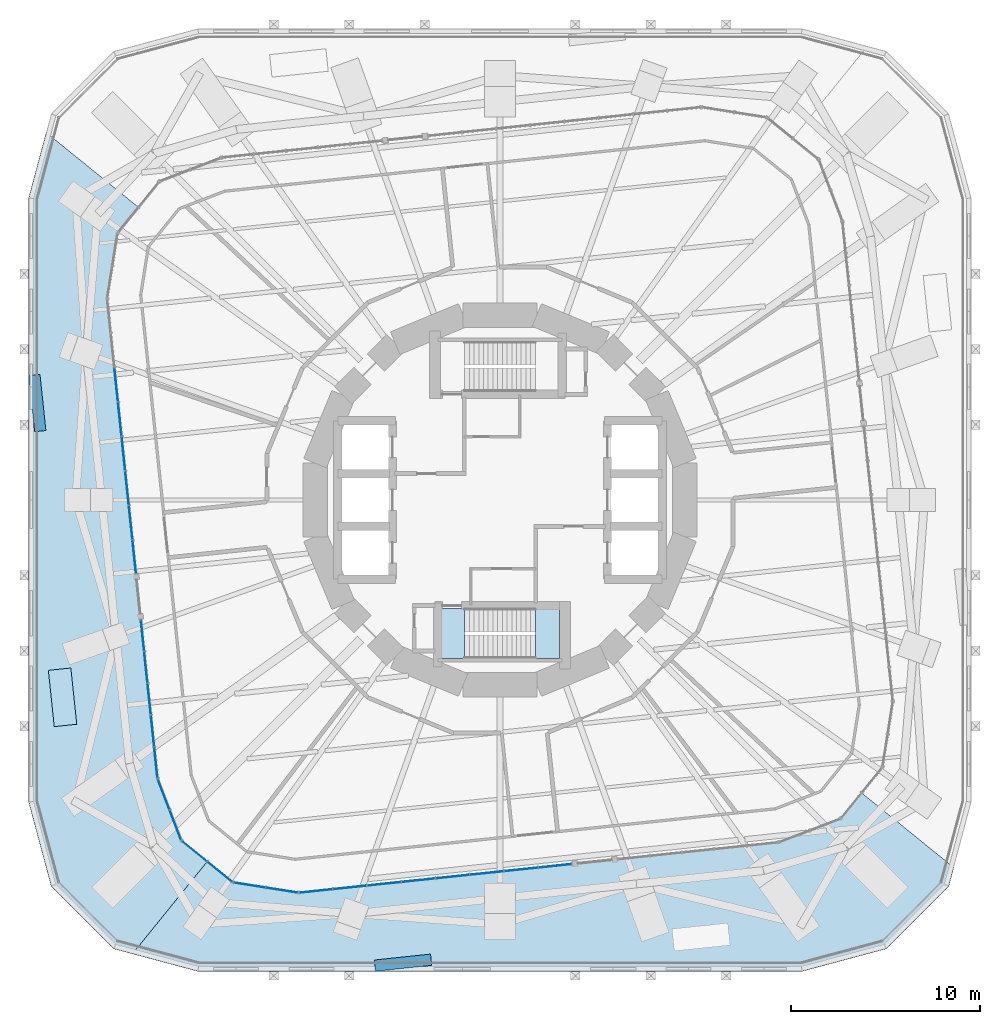
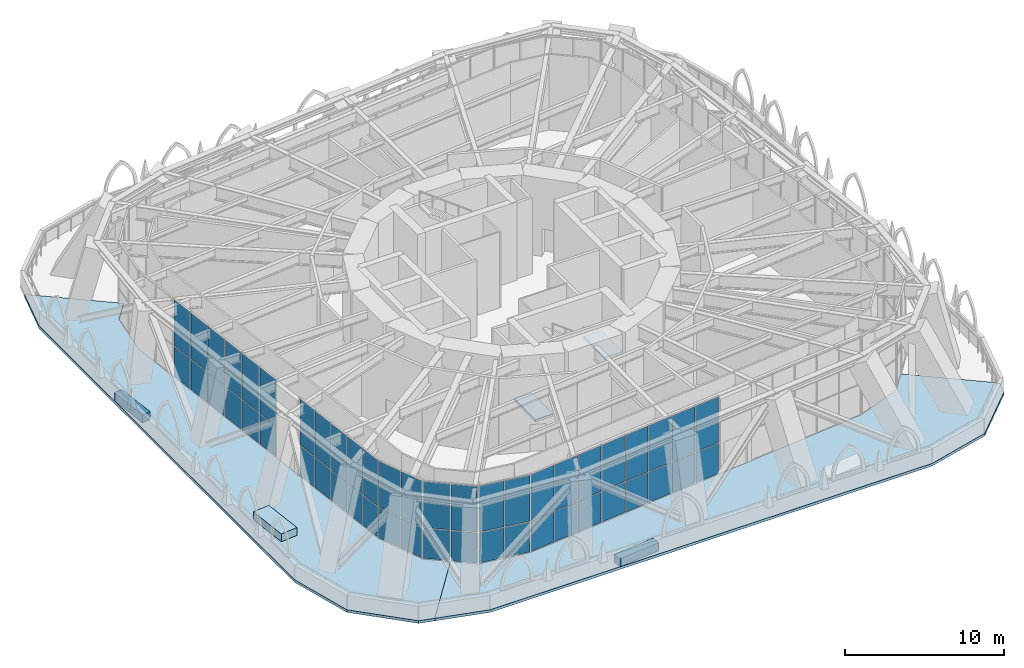
# One storey, part 12 of 20: 53 plates, 4 slabs, 7 elements without a shape of their own.
"""IFC4 building model written with IfcOpenShell, lengths in metres."""

import ifcopenshell
import ifcopenshell.guid

model = None  # the IFC model being written
_history = None  # IfcOwnerHistory: only IFC2X3 demands one
_inside = {}  # id of a spatial element -> (the spatial element, [elements in it])
_under = {}  # id of a project, library or spatial element -> (it, [spatial elements below it])
_declared = {}  # id of a project -> (the project, [libraries it declares])
_typed = {}  # id of a type object -> (the type object, [elements of that type])
_made_of = {}  # id of a material, layer set ... -> (it, [elements and type objects made of it])


def new_model(schema):
    """Start an empty IFC model of exactly this schema.

    Asked for "IFC4X3", IfcOpenShell would pick the latest addendum, in which some entities
    have other attributes; the version numbers below select the first issue.
    IFC2X3 requires an IfcOwnerHistory on every rooted entity: one is made here for all.
    """
    global model, _history
    if schema == "IFC4X3":
        model = ifcopenshell.file(schema_version=(4, 3, 0, 0))
    else:
        model = ifcopenshell.file(schema=schema)
    _inside.clear()
    _under.clear()
    _declared.clear()
    _typed.clear()
    _made_of.clear()
    _history = None
    if model.schema == "IFC2X3":
        org = make("IfcOrganization", Name="unknown")
        user = make(
            "IfcPersonAndOrganization",
            ThePerson=make("IfcPerson", FamilyName="unknown"),
            TheOrganization=org,
        )
        app = make(
            "IfcApplication",
            ApplicationDeveloper=org,
            Version="unknown",
            ApplicationFullName="unknown",
            ApplicationIdentifier="unknown",
        )
        _history = make(
            "IfcOwnerHistory",
            OwningUser=user,
            OwningApplication=app,
            ChangeAction="ADDED",
            CreationDate=0,
        )
    return model


def make(cls, **values):
    """One entity of the class cls with the attributes given. An attribute that is None is left unset."""
    return model.create_entity(
        cls, **{name: value for name, value in values.items() if value is not None}
    )


def rooted(cls, **values):
    """An entity with a GlobalId (a new one), such as an element, a storey or a relation."""
    return make(cls, GlobalId=ifcopenshell.guid.new(), OwnerHistory=_history, **values)


def si_unit(unit_type, name, prefix=None):
    """IfcSIUnit, for example si_unit("LENGTHUNIT", "METRE", prefix="MILLI")."""
    return make("IfcSIUnit", UnitType=unit_type, Prefix=prefix, Name=name)


def assignment(units):
    """IfcUnitAssignment: the units of a project."""
    return None if units is None else make("IfcUnitAssignment", Units=units)


def point(xyz):
    """IfcCartesianPoint."""
    return None if xyz is None else make("IfcCartesianPoint", Coordinates=xyz)


def direction(xyz):
    """IfcDirection."""
    return None if xyz is None else make("IfcDirection", DirectionRatios=xyz)


def frame(location, z_axis=None, x_axis=None):
    """IfcAxis2Placement3D, a coordinate frame: its origin and axes. An axis left out is left unset."""
    return make(
        "IfcAxis2Placement3D",
        Location=point(location),
        Axis=direction(z_axis),
        RefDirection=direction(x_axis),
    )


def frame_2d(location, x_axis=None):
    """IfcAxis2Placement2D, a coordinate frame in the plane: its origin and x axis."""
    return make(
        "IfcAxis2Placement2D", Location=point(location), RefDirection=direction(x_axis)
    )


def origin():
    """The frame at (0, 0, 0) with its axes left unset."""
    return frame((0.0, 0.0, 0.0))


def origin_2d():
    """The frame at (0, 0) in the plane with its x axis left unset."""
    return frame_2d((0.0, 0.0))


def place(relative_to, where):
    """IfcLocalPlacement: puts the frame where relative to a parent placement (None: the world)."""
    return make(
        "IfcLocalPlacement", PlacementRelTo=relative_to, RelativePlacement=where
    )


def context(
    kind, dimensions, precision=None, world=None, true_north=None, identifier=None
):
    """IfcGeometricRepresentationContext, for example the 3D "Model" context."""
    return make(
        "IfcGeometricRepresentationContext",
        ContextIdentifier=identifier,
        ContextType=kind,
        CoordinateSpaceDimension=dimensions,
        Precision=precision,
        WorldCoordinateSystem=world,
        TrueNorth=true_north,
    )


def subcontext(parent, identifier, kind, view, scale=None):
    """IfcGeometricRepresentationSubContext, for example "Body" below "Model"."""
    return make(
        "IfcGeometricRepresentationSubContext",
        ContextIdentifier=identifier,
        ContextType=kind,
        ParentContext=parent,
        TargetScale=scale,
        TargetView=view,
    )


def project(units=None, contexts=None):
    """IfcProject with its units and contexts."""
    return rooted(
        "IfcProject",
        Name="project",
        RepresentationContexts=contexts,
        UnitsInContext=assignment(units),
    )


def spatial(cls, under=None, at=None, **own):
    """A site, building, storey or space (cls), placed at a placement, below another one or the project."""
    s = rooted(cls, ObjectPlacement=at, **own)
    if under is not None:
        _under.setdefault(under.id(), (under, []))[1].append(s)
    return s


def polyline(points):
    """IfcPolyline through the points."""
    return make("IfcPolyline", Points=[point(p) for p in points])


def profile(cls, at=None, kind="AREA", **sizes):
    """A parametric profile (cls). Its sizes go by their IFC names, for example OverallWidth=200.0."""
    return make(cls, ProfileType=kind, Position=at, **sizes)


def rectangle(**sizes):
    """IfcRectangleProfileDef."""
    return profile("IfcRectangleProfileDef", **sizes)


def outline(outer, holes=None, kind="AREA"):
    """IfcArbitraryClosedProfileDef: a profile drawn as a closed curve; with holes, ...WithVoids."""
    if holes is None:
        return make("IfcArbitraryClosedProfileDef", ProfileType=kind, OuterCurve=outer)
    return make(
        "IfcArbitraryProfileDefWithVoids",
        ProfileType=kind,
        OuterCurve=outer,
        InnerCurves=holes,
    )


def extrude(swept, where, along, depth):
    """IfcExtrudedAreaSolid: the profile swept, set in the frame where, extruded along a direction by depth."""
    return make(
        "IfcExtrudedAreaSolid",
        SweptArea=swept,
        Position=where,
        ExtrudedDirection=direction(along),
        Depth=depth,
    )


def shape(context_of_items, identifier, shape_type, items):
    """IfcShapeRepresentation: the items that make up one representation, for example the "Body"."""
    return make(
        "IfcShapeRepresentation",
        ContextOfItems=context_of_items,
        RepresentationIdentifier=identifier,
        RepresentationType=shape_type,
        Items=items,
    )


def material(Name=None, Category=None):
    """IfcMaterial."""
    return make("IfcMaterial", Name=Name, Category=Category)


def layer(
    of_material, thickness, ventilated=None, Name=None, Category=None, Priority=None
):
    """IfcMaterialLayer: one layer of a wall or slab, of a material (None: an air gap)."""
    return make(
        "IfcMaterialLayer",
        Material=of_material,
        LayerThickness=thickness,
        IsVentilated=ventilated,
        Name=Name,
        Category=Category,
        Priority=Priority,
    )


def layer_set(layers, Name=None):
    """IfcMaterialLayerSet."""
    return make("IfcMaterialLayerSet", MaterialLayers=layers, LayerSetName=Name)


def made_of(thing, what):
    """Note that an element or type object is made of a material, layer set ...; save() writes the relation."""
    if what is not None:
        _made_of.setdefault(what.id(), (what, []))[1].append(thing)
    return thing


def type_object(cls, material=None, **own):
    """A type object (cls), such as IfcWallType, which elements share."""
    return made_of(rooted(cls, **own), material)


def element(
    cls,
    number,
    at=None,
    inside=None,
    cuts=None,
    type_object=None,
    material=None,
    context=None,
    identifier="Body",
    shape_type=None,
    held_by="IfcProductDefinitionShape",
    body=None,
    shapes=None,
    **own,
):
    """One element of the class cls, such as IfcWall. Its Tag is "e" and its number.

    at: its placement. inside: the storey or other place that contains it. cuts: it is an
    opening in that element (IfcRelVoidsElement). A single representation is given by context,
    identifier, shape_type and body (its items); several are given by shapes. held_by: the class
    of the entity that holds the representations. save() writes the other relations.
    """
    e = rooted(cls, Tag="e%d" % number, ObjectPlacement=at, **own)
    if body is not None:
        shapes = [shape(context, identifier, shape_type, body)]
    if shapes is not None:
        e.Representation = make(held_by, Representations=shapes)
    if inside is not None:
        _inside.setdefault(inside.id(), (inside, []))[1].append(e)
    if cuts is not None:
        rooted(
            "IfcRelVoidsElement", RelatingBuildingElement=cuts, RelatedOpeningElement=e
        )
    if type_object is not None:
        _typed.setdefault(type_object.id(), (type_object, []))[1].append(e)
    return made_of(e, material)


def aggregate(whole, parts):
    """IfcRelAggregates: a whole, such as a stair, and the parts it consists of."""
    return rooted("IfcRelAggregates", RelatingObject=whole, RelatedObjects=parts)


def save(model, path):
    """Write the relations noted so far, then the file.

    IfcRelAggregates (storeys below a building ...), IfcRelContainedInSpatialStructure (elements
    in a storey), IfcRelDefinesByType, IfcRelAssociatesMaterial and IfcRelDeclares: one each for
    every whole, place, type object, material and project.
    """
    for whole, parts in _under.values():
        aggregate(whole, parts)
    for where, things in _inside.values():
        rooted(
            "IfcRelContainedInSpatialStructure",
            RelatedElements=things,
            RelatingStructure=where,
        )
    for kind, things in _typed.values():
        rooted("IfcRelDefinesByType", RelatedObjects=things, RelatingType=kind)
    for what, things in _made_of.values():
        rooted("IfcRelAssociatesMaterial", RelatedObjects=things, RelatingMaterial=what)
    for by, libraries in _declared.values():
        rooted("IfcRelDeclares", RelatingContext=by, RelatedDefinitions=libraries)
    model.write(path)


model = new_model("IFC4")

# Units and contexts
model_context = context("Model", 3, precision=1e-05, world=origin(), true_north=direction((0.0, 1.0)))
body_context = subcontext(model_context, "Body", "Model", "MODEL_VIEW")
ifc_project = project(units=[si_unit("LENGTHUNIT", "METRE"), si_unit("AREAUNIT", "SQUARE_METRE"), si_unit("VOLUMEUNIT", "CUBIC_METRE"), si_unit("PLANEANGLEUNIT", "RADIAN"), si_unit("MASSUNIT", "GRAM", prefix="KILO")], contexts=[model_context])

# Site, building, storey
site_placement = place(None, origin())
site = spatial("IfcSite", under=ifc_project, at=site_placement, CompositionType="ELEMENT")
building_placement = place(site_placement, origin())
building = spatial("IfcBuilding", under=site, at=building_placement, Name="Nakasero Lantern House", CompositionType="ELEMENT")
storey_placement = place(building_placement, frame((0.0, 0.0, 54.5)))
storey = spatial("IfcBuildingStorey", under=building, at=storey_placement, Name="L13", CompositionType="ELEMENT", Elevation=54.5)

# Curtain wall, plates
ifc_material_1 = material(Name="Aluminium 6063-T6 and glass", Category="aluminium")
curtain_wall_type = type_object("IfcCurtainWallType", Name="Sky lounge glazing CW-3", PredefinedType="USERDEFINED", material=ifc_material_1)
curtain_wall_1_placement = place(storey_placement, origin())
curtain_wall_1 = element("IfcCurtainWall", 1, at=curtain_wall_1_placement, inside=storey, type_object=curtain_wall_type, Name="Curtain wall CW-3 L13", ObjectType="STICK CURTAIN WALL", PredefinedType="USERDEFINED")
ifc_material_2 = material(Name="Glass", Category="glass")
ifc_layer_1 = layer(ifc_material_2, 0.028076171875)
ifc_layer_set_1 = layer_set([ifc_layer_1], Name="Glazed panel CW-3")
plate_type_1 = type_object("IfcPlateType", Name="Glazed panel CW-3", PredefinedType="CURTAIN_PANEL", material=ifc_layer_set_1)
plate_1_placement = place(storey_placement, frame((-20.157470703125, 4.28515625, 0.06005859375), z_axis=(0.0, 0.0, 1.0), x_axis=(0.104528463268, -0.994521895368, 0.0)))
plate_1 = element("IfcPlate", 2, at=plate_1_placement, type_object=plate_type_1, Name="CW-3 panel 4.1", PredefinedType="CURTAIN_PANEL", context=body_context, shape_type="SweptSolid", body=[
    extrude(rectangle(XDim=1.777587890625, YDim=0.028076171875, at=origin_2d()), origin(), (0.0, 0.0, 1.0), 2.31005859375),
])
plate_2_placement = place(storey_placement, frame((-20.157470703125, 4.28515625, 2.43017578125), z_axis=(0.0, 0.0, 1.0), x_axis=(0.104528463268, -0.994521895368, 0.0)))
plate_2 = element("IfcPlate", 3, at=plate_2_placement, type_object=plate_type_1, Name="CW-3 panel 4.2", PredefinedType="CURTAIN_PANEL", context=body_context, shape_type="SweptSolid", body=[
    extrude(rectangle(XDim=1.777587890625, YDim=0.028076171875, at=origin_2d()), origin(), (0.0, 0.0, 1.0), 3.510009765625),
])
plate_3_placement = place(storey_placement, frame((-19.96533203125, 2.457763671875, 0.06005859375), z_axis=(0.0, 0.0, 1.0), x_axis=(0.104528463268, -0.994521895368, 0.0)))
plate_3 = element("IfcPlate", 4, at=plate_3_placement, type_object=plate_type_1, Name="CW-3 panel 5.1", PredefinedType="CURTAIN_PANEL", context=body_context, shape_type="SweptSolid", body=[
    extrude(rectangle(XDim=1.777587890625, YDim=0.028076171875, at=origin_2d()), origin(), (0.0, 0.0, 1.0), 2.31005859375),
])
plate_4_placement = place(storey_placement, frame((-19.96533203125, 2.457763671875, 2.43017578125), z_axis=(0.0, 0.0, 1.0), x_axis=(0.104528463268, -0.994521895368, 0.0)))
plate_4 = element("IfcPlate", 5, at=plate_4_placement, type_object=plate_type_1, Name="CW-3 panel 5.2", PredefinedType="CURTAIN_PANEL", context=body_context, shape_type="SweptSolid", body=[
    extrude(rectangle(XDim=1.777587890625, YDim=0.028076171875, at=origin_2d()), origin(), (0.0, 0.0, 1.0), 3.510009765625),
])
plate_5_placement = place(storey_placement, frame((-19.390625, -3.009521484375, 0.06005859375), z_axis=(0.0, 0.0, 1.0), x_axis=(0.104528463268, -0.994521895368, 0.0)))
plate_5 = element("IfcPlate", 6, at=plate_5_placement, type_object=plate_type_1, Name="CW-3 panel 8.1", PredefinedType="CURTAIN_PANEL", context=body_context, shape_type="SweptSolid", body=[
    extrude(rectangle(XDim=1.74755859375, YDim=0.028076171875, at=origin_2d()), origin(), (0.0, 0.0, 1.0), 2.31005859375),
])
plate_6_placement = place(storey_placement, frame((-19.390625, -3.009521484375, 2.43017578125), z_axis=(0.0, 0.0, 1.0), x_axis=(0.104528463268, -0.994521895368, 0.0)))
plate_6 = element("IfcPlate", 7, at=plate_6_placement, type_object=plate_type_1, Name="CW-3 panel 8.2", PredefinedType="CURTAIN_PANEL", context=body_context, shape_type="SweptSolid", body=[
    extrude(rectangle(XDim=1.74755859375, YDim=0.028076171875, at=origin_2d()), origin(), (0.0, 0.0, 1.0), 3.510009765625),
])

curtain_wall_2_placement = place(storey_placement, origin())
curtain_wall_2 = element("IfcCurtainWall", 8, at=curtain_wall_2_placement, inside=storey, type_object=curtain_wall_type, Name="Curtain wall CW-3 L13", ObjectType="STICK CURTAIN WALL", PredefinedType="USERDEFINED")
plate_7_placement = place(storey_placement, frame((-18.775634765625, -8.861083984375, 0.06005859375), z_axis=(0.0, 0.0, 1.0), x_axis=(0.104528463302, -0.994521895365, 0.0)))
plate_7 = element("IfcPlate", 9, at=plate_7_placement, type_object=plate_type_1, Name="CW-3 panel 2.1", PredefinedType="CURTAIN_PANEL", context=body_context, shape_type="SweptSolid", body=[
    extrude(rectangle(XDim=1.639892578125, YDim=0.028076171875, at=origin_2d()), origin(), (0.0, 0.0, 1.0), 2.31005859375),
])
plate_8_placement = place(storey_placement, frame((-18.775634765625, -8.861083984375, 2.43017578125), z_axis=(0.0, 0.0, 1.0), x_axis=(0.104528463302, -0.994521895365, 0.0)))
plate_8 = element("IfcPlate", 10, at=plate_8_placement, type_object=plate_type_1, Name="CW-3 panel 2.2", PredefinedType="CURTAIN_PANEL", context=body_context, shape_type="SweptSolid", body=[
    extrude(rectangle(XDim=1.639892578125, YDim=0.028076171875, at=origin_2d()), origin(), (0.0, 0.0, 1.0), 3.510009765625),
])
plate_9_placement = place(storey_placement, frame((-18.597900390625, -10.5517578125, 0.06005859375), z_axis=(0.0, 0.0, 1.0), x_axis=(0.104528463302, -0.994521895365, 0.0)))
plate_9 = element("IfcPlate", 11, at=plate_9_placement, type_object=plate_type_1, Name="CW-3 panel 3.1", PredefinedType="CURTAIN_PANEL", context=body_context, shape_type="SweptSolid", body=[
    extrude(rectangle(XDim=1.639892578125, YDim=0.028076171875, at=origin_2d()), origin(), (0.0, 0.0, 1.0), 2.31005859375),
])
plate_10_placement = place(storey_placement, frame((-18.597900390625, -10.5517578125, 2.43017578125), z_axis=(0.0, 0.0, 1.0), x_axis=(0.104528463302, -0.994521895365, 0.0)))
plate_10 = element("IfcPlate", 12, at=plate_10_placement, type_object=plate_type_1, Name="CW-3 panel 3.2", PredefinedType="CURTAIN_PANEL", context=body_context, shape_type="SweptSolid", body=[
    extrude(rectangle(XDim=1.639892578125, YDim=0.028076171875, at=origin_2d()), origin(), (0.0, 0.0, 1.0), 3.510009765625),
])
plate_11_placement = place(storey_placement, frame((-18.420166015625, -12.242431640625, 0.06005859375), z_axis=(0.0, 0.0, 1.0), x_axis=(0.104528463302, -0.994521895365, 0.0)))
plate_11 = element("IfcPlate", 13, at=plate_11_placement, type_object=plate_type_1, Name="CW-3 panel 4.1", PredefinedType="CURTAIN_PANEL", context=body_context, shape_type="SweptSolid", body=[
    extrude(rectangle(XDim=1.639892578125, YDim=0.028076171875, at=origin_2d()), origin(), (0.0, 0.0, 1.0), 2.31005859375),
])
plate_12_placement = place(storey_placement, frame((-18.420166015625, -12.242431640625, 2.43017578125), z_axis=(0.0, 0.0, 1.0), x_axis=(0.104528463302, -0.994521895365, 0.0)))
plate_12 = element("IfcPlate", 14, at=plate_12_placement, type_object=plate_type_1, Name="CW-3 panel 4.2", PredefinedType="CURTAIN_PANEL", context=body_context, shape_type="SweptSolid", body=[
    extrude(rectangle(XDim=1.639892578125, YDim=0.028076171875, at=origin_2d()), origin(), (0.0, 0.0, 1.0), 3.510009765625),
])

curtain_wall_3_placement = place(storey_placement, origin())
curtain_wall_3 = element("IfcCurtainWall", 15, at=curtain_wall_3_placement, inside=storey, type_object=curtain_wall_type, Name="Curtain wall CW-3 L13", ObjectType="STICK CURTAIN WALL", PredefinedType="USERDEFINED")
plate_13_placement = place(storey_placement, frame((-17.8330078125, -15.614013671875, 0.06005859375), z_axis=(0.0, 0.0, 1.0), x_axis=(0.358367949301, -0.933580426591, 0.0)))
plate_13 = element("IfcPlate", 16, at=plate_13_placement, type_object=plate_type_1, Name="CW-3 panel 1.1", PredefinedType="CURTAIN_PANEL", context=body_context, shape_type="SweptSolid", body=[
    extrude(rectangle(XDim=1.669677734375, YDim=0.028076171875, at=origin_2d()), origin(), (0.0, 0.0, 1.0), 2.31005859375),
])
plate_14_placement = place(storey_placement, frame((-17.8330078125, -15.614013671875, 2.43017578125), z_axis=(0.0, 0.0, 1.0), x_axis=(0.358367949301, -0.933580426591, 0.0)))
plate_14 = element("IfcPlate", 17, at=plate_14_placement, type_object=plate_type_1, Name="CW-3 panel 1.2", PredefinedType="CURTAIN_PANEL", context=body_context, shape_type="SweptSolid", body=[
    extrude(rectangle(XDim=1.669677734375, YDim=0.028076171875, at=origin_2d()), origin(), (0.0, 0.0, 1.0), 3.510009765625),
])

curtain_wall_4_placement = place(storey_placement, origin())
curtain_wall_4 = element("IfcCurtainWall", 18, at=curtain_wall_4_placement, inside=storey, type_object=curtain_wall_type, Name="Curtain wall CW-3 L13", ObjectType="STICK CURTAIN WALL", PredefinedType="USERDEFINED")
plate_15_placement = place(storey_placement, frame((-13.2734375, -20.4189453125, 0.06005859375), z_axis=(0.0, 0.0, 1.0), x_axis=(0.987688340598, -0.156434465023, 0.0)))
plate_15 = element("IfcPlate", 19, at=plate_15_placement, type_object=plate_type_1, Name="CW-3 panel 1.1", PredefinedType="CURTAIN_PANEL", context=body_context, shape_type="SweptSolid", body=[
    extrude(rectangle(XDim=1.669677734375, YDim=0.028076171875, at=origin_2d()), origin(), (0.0, 0.0, 1.0), 2.31005859375),
])
plate_16_placement = place(storey_placement, frame((-13.2734375, -20.4189453125, 2.43017578125), z_axis=(0.0, 0.0, 1.0), x_axis=(0.987688340598, -0.156434465023, 0.0)))
plate_16 = element("IfcPlate", 20, at=plate_16_placement, type_object=plate_type_1, Name="CW-3 panel 1.2", PredefinedType="CURTAIN_PANEL", context=body_context, shape_type="SweptSolid", body=[
    extrude(rectangle(XDim=1.669677734375, YDim=0.028076171875, at=origin_2d()), origin(), (0.0, 0.0, 1.0), 3.510009765625),
])

curtain_wall_5_placement = place(storey_placement, origin())
curtain_wall_5 = element("IfcCurtainWall", 21, at=curtain_wall_5_placement, inside=storey, type_object=curtain_wall_type, Name="Curtain wall CW-3 L13", ObjectType="STICK CURTAIN WALL", PredefinedType="USERDEFINED")
plate_17_placement = place(storey_placement, frame((-4.32861328125, -20.161865234375, 0.06005859375), z_axis=(0.0, 0.0, 1.0), x_axis=(0.994521895366, 0.104528463285, 0.0)))
plate_17 = element("IfcPlate", 22, at=plate_17_placement, type_object=plate_type_1, Name="CW-3 panel 4.1", PredefinedType="CURTAIN_PANEL", context=body_context, shape_type="SweptSolid", body=[
    extrude(rectangle(XDim=1.764892578125, YDim=0.028076171875, at=origin_2d()), origin(), (0.0, 0.0, 1.0), 2.31005859375),
])
plate_18_placement = place(storey_placement, frame((-4.32861328125, -20.161865234375, 2.43017578125), z_axis=(0.0, 0.0, 1.0), x_axis=(0.994521895366, 0.104528463285, 0.0)))
plate_18 = element("IfcPlate", 23, at=plate_18_placement, type_object=plate_type_1, Name="CW-3 panel 4.2", PredefinedType="CURTAIN_PANEL", context=body_context, shape_type="SweptSolid", body=[
    extrude(rectangle(XDim=1.764892578125, YDim=0.028076171875, at=origin_2d()), origin(), (0.0, 0.0, 1.0), 3.510009765625),
])
plate_19_placement = place(storey_placement, frame((-2.513671875, -19.97119140625, 0.06005859375), z_axis=(0.0, 0.0, 1.0), x_axis=(0.994521895366, 0.104528463285, 0.0)))
plate_19 = element("IfcPlate", 24, at=plate_19_placement, type_object=plate_type_1, Name="CW-3 panel 5.1", PredefinedType="CURTAIN_PANEL", context=body_context, shape_type="SweptSolid", body=[
    extrude(rectangle(XDim=1.764892578125, YDim=0.028076171875, at=origin_2d()), origin(), (0.0, 0.0, 1.0), 2.31005859375),
])
plate_20_placement = place(storey_placement, frame((-2.513671875, -19.97119140625, 2.43017578125), z_axis=(0.0, 0.0, 1.0), x_axis=(0.994521895366, 0.104528463285, 0.0)))
plate_20 = element("IfcPlate", 25, at=plate_20_placement, type_object=plate_type_1, Name="CW-3 panel 5.2", PredefinedType="CURTAIN_PANEL", context=body_context, shape_type="SweptSolid", body=[
    extrude(rectangle(XDim=1.764892578125, YDim=0.028076171875, at=origin_2d()), origin(), (0.0, 0.0, 1.0), 3.510009765625),
])
plate_21_placement = place(storey_placement, frame((2.916259765625, -19.400390625, 0.06005859375), z_axis=(0.0, 0.0, 1.0), x_axis=(0.994521895366, 0.104528463285, 0.0)))
plate_21 = element("IfcPlate", 26, at=plate_21_placement, type_object=plate_type_1, Name="CW-3 panel 8.1", PredefinedType="CURTAIN_PANEL", context=body_context, shape_type="SweptSolid", body=[
    extrude(rectangle(XDim=1.735107421875, YDim=0.028076171875, at=origin_2d()), origin(), (0.0, 0.0, 1.0), 2.31005859375),
])
plate_22_placement = place(storey_placement, frame((2.916259765625, -19.400390625, 2.43017578125), z_axis=(0.0, 0.0, 1.0), x_axis=(0.994521895366, 0.104528463285, 0.0)))
plate_22 = element("IfcPlate", 27, at=plate_22_placement, type_object=plate_type_1, Name="CW-3 panel 8.2", PredefinedType="CURTAIN_PANEL", context=body_context, shape_type="SweptSolid", body=[
    extrude(rectangle(XDim=1.735107421875, YDim=0.028076171875, at=origin_2d()), origin(), (0.0, 0.0, 1.0), 3.510009765625),
])

# Plate
ifc_material_3 = material(Name="Aluminium 6063-T6 and insulation", Category="aluminium")
ifc_layer_2 = layer(ifc_material_3, 0.028076171875)
ifc_layer_set_2 = layer_set([ifc_layer_2], Name="Insulated panel CW-3")
plate_type_2 = type_object("IfcPlateType", Name="Insulated panel CW-3", PredefinedType="CURTAIN_PANEL", material=ifc_layer_set_2)
plate_23_placement = place(storey_placement, frame((-20.349365234375, 6.112548828125, 0.06005859375), z_axis=(0.0, 0.0, 1.0), x_axis=(0.104528463268, -0.994521895368, 0.0)))
plate_23 = element("IfcPlate", 28, at=plate_23_placement, type_object=plate_type_2, Name="CW-3 panel 3.1", PredefinedType="CURTAIN_PANEL", context=body_context, shape_type="SweptSolid", body=[
    extrude(rectangle(XDim=1.777587890625, YDim=0.028076171875, at=origin_2d()), origin(), (0.0, 0.0, 1.0), 2.31005859375),
])

plate_24_placement = place(storey_placement, frame((-20.349365234375, 6.112548828125, 2.43017578125), z_axis=(0.0, 0.0, 1.0), x_axis=(0.104528463268, -0.994521895368, 0.0)))
plate_24 = element("IfcPlate", 29, at=plate_24_placement, type_object=plate_type_2, Name="CW-3 panel 3.2", PredefinedType="CURTAIN_PANEL", context=body_context, shape_type="SweptSolid", body=[
    extrude(rectangle(XDim=1.777587890625, YDim=0.028076171875, at=origin_2d()), origin(), (0.0, 0.0, 1.0), 3.510009765625),
])

plate_25_placement = place(storey_placement, frame((-19.773193359375, 0.63037109375, 0.06005859375), z_axis=(0.0, 0.0, 1.0), x_axis=(0.104528463268, -0.994521895368, 0.0)))
plate_25 = element("IfcPlate", 30, at=plate_25_placement, type_object=plate_type_2, Name="CW-3 panel 6.1", PredefinedType="CURTAIN_PANEL", context=body_context, shape_type="SweptSolid", body=[
    extrude(rectangle(XDim=1.777587890625, YDim=0.028076171875, at=origin_2d()), origin(), (0.0, 0.0, 1.0), 2.31005859375),
])

plate_26_placement = place(storey_placement, frame((-19.773193359375, 0.63037109375, 2.43017578125), z_axis=(0.0, 0.0, 1.0), x_axis=(0.104528463268, -0.994521895368, 0.0)))
plate_26 = element("IfcPlate", 31, at=plate_26_placement, type_object=plate_type_2, Name="CW-3 panel 6.2", PredefinedType="CURTAIN_PANEL", context=body_context, shape_type="SweptSolid", body=[
    extrude(rectangle(XDim=1.777587890625, YDim=0.028076171875, at=origin_2d()), origin(), (0.0, 0.0, 1.0), 3.510009765625),
])

plate_27_placement = place(storey_placement, frame((-19.5810546875, -1.197021484375, 0.06005859375), z_axis=(0.0, 0.0, 1.0), x_axis=(0.104528463268, -0.994521895368, 0.0)))
plate_27 = element("IfcPlate", 32, at=plate_27_placement, type_object=plate_type_2, Name="CW-3 panel 7.1", PredefinedType="CURTAIN_PANEL", context=body_context, shape_type="SweptSolid", body=[
    extrude(rectangle(XDim=1.777587890625, YDim=0.028076171875, at=origin_2d()), origin(), (0.0, 0.0, 1.0), 2.31005859375),
])

plate_28_placement = place(storey_placement, frame((-19.5810546875, -1.197021484375, 2.43017578125), z_axis=(0.0, 0.0, 1.0), x_axis=(0.104528463268, -0.994521895368, 0.0)))
plate_28 = element("IfcPlate", 33, at=plate_28_placement, type_object=plate_type_2, Name="CW-3 panel 7.2", PredefinedType="CURTAIN_PANEL", context=body_context, shape_type="SweptSolid", body=[
    extrude(rectangle(XDim=1.777587890625, YDim=0.028076171875, at=origin_2d()), origin(), (0.0, 0.0, 1.0), 3.510009765625),
])

aggregate(curtain_wall_1, [plate_23, plate_24, plate_1, plate_2, plate_3, plate_4, plate_25, plate_26, plate_27, plate_28, plate_5, plate_6])

plate_29_placement = place(storey_placement, frame((-18.95166015625, -7.185302734375, 0.06005859375), z_axis=(0.0, 0.0, 1.0), x_axis=(0.104528463302, -0.994521895365, 0.0)))
plate_29 = element("IfcPlate", 34, at=plate_29_placement, type_object=plate_type_2, Name="CW-3 panel 1.1", PredefinedType="CURTAIN_PANEL", context=body_context, shape_type="SweptSolid", body=[
    extrude(rectangle(XDim=1.610107421875, YDim=0.028076171875, at=origin_2d()), origin(), (0.0, 0.0, 1.0), 2.31005859375),
])

plate_30_placement = place(storey_placement, frame((-18.95166015625, -7.185302734375, 2.43017578125), z_axis=(0.0, 0.0, 1.0), x_axis=(0.104528463302, -0.994521895365, 0.0)))
plate_30 = element("IfcPlate", 35, at=plate_30_placement, type_object=plate_type_2, Name="CW-3 panel 1.2", PredefinedType="CURTAIN_PANEL", context=body_context, shape_type="SweptSolid", body=[
    extrude(rectangle(XDim=1.610107421875, YDim=0.028076171875, at=origin_2d()), origin(), (0.0, 0.0, 1.0), 3.510009765625),
])

plate_31_placement = place(storey_placement, frame((-18.244140625, -13.918212890625, 0.06005859375), z_axis=(0.0, 0.0, 1.0), x_axis=(0.104528463302, -0.994521895365, 0.0)))
plate_31 = element("IfcPlate", 36, at=plate_31_placement, type_object=plate_type_2, Name="CW-3 panel 5.1", PredefinedType="CURTAIN_PANEL", context=body_context, shape_type="SweptSolid", body=[
    extrude(rectangle(XDim=1.610107421875, YDim=0.028076171875, at=origin_2d()), origin(), (0.0, 0.0, 1.0), 2.31005859375),
])

plate_32_placement = place(storey_placement, frame((-18.244140625, -13.918212890625, 2.43017578125), z_axis=(0.0, 0.0, 1.0), x_axis=(0.104528463302, -0.994521895365, 0.0)))
plate_32 = element("IfcPlate", 37, at=plate_32_placement, type_object=plate_type_2, Name="CW-3 panel 5.2", PredefinedType="CURTAIN_PANEL", context=body_context, shape_type="SweptSolid", body=[
    extrude(rectangle(XDim=1.610107421875, YDim=0.028076171875, at=origin_2d()), origin(), (0.0, 0.0, 1.0), 3.510009765625),
])

aggregate(curtain_wall_2, [plate_29, plate_30, plate_7, plate_8, plate_9, plate_10, plate_11, plate_12, plate_31, plate_32])

plate_33_placement = place(storey_placement, frame((-17.213134765625, -17.228759765625, 0.06005859375), z_axis=(0.0, 0.0, 1.0), x_axis=(0.358367949301, -0.933580426591, 0.0)))
plate_33 = element("IfcPlate", 38, at=plate_33_placement, type_object=plate_type_2, Name="CW-3 panel 2.1", PredefinedType="CURTAIN_PANEL", context=body_context, shape_type="SweptSolid", body=[
    extrude(rectangle(XDim=1.669677734375, YDim=0.028076171875, at=origin_2d()), origin(), (0.0, 0.0, 1.0), 2.31005859375),
])

plate_34_placement = place(storey_placement, frame((-17.213134765625, -17.228759765625, 2.43017578125), z_axis=(0.0, 0.0, 1.0), x_axis=(0.358367949301, -0.933580426591, 0.0)))
plate_34 = element("IfcPlate", 39, at=plate_34_placement, type_object=plate_type_2, Name="CW-3 panel 2.2", PredefinedType="CURTAIN_PANEL", context=body_context, shape_type="SweptSolid", body=[
    extrude(rectangle(XDim=1.669677734375, YDim=0.028076171875, at=origin_2d()), origin(), (0.0, 0.0, 1.0), 3.510009765625),
])

aggregate(curtain_wall_3, [plate_13, plate_14, plate_33, plate_34])

# Curtain wall, plates
curtain_wall_6_placement = place(storey_placement, origin())
curtain_wall_6 = element("IfcCurtainWall", 40, at=curtain_wall_6_placement, inside=storey, type_object=curtain_wall_type, Name="Curtain wall CW-3 L13", ObjectType="STICK CURTAIN WALL", PredefinedType="USERDEFINED")
plate_35_placement = place(storey_placement, frame((-16.197021484375, -18.62744140625, 0.06005859375), z_axis=(0.0, 0.0, 1.0), x_axis=(0.777145961545, -0.629320390941, 0.0)))
plate_35 = element("IfcPlate", 41, at=plate_35_placement, type_object=plate_type_2, Name="CW-3 panel 1.1", PredefinedType="CURTAIN_PANEL", context=body_context, shape_type="SweptSolid", body=[
    extrude(rectangle(XDim=1.669677734375, YDim=0.028076171875, at=origin_2d()), origin(), (0.0, 0.0, 1.0), 2.31005859375),
])
plate_36_placement = place(storey_placement, frame((-16.197021484375, -18.62744140625, 2.43017578125), z_axis=(0.0, 0.0, 1.0), x_axis=(0.777145961545, -0.629320390941, 0.0)))
plate_36 = element("IfcPlate", 42, at=plate_36_placement, type_object=plate_type_2, Name="CW-3 panel 1.2", PredefinedType="CURTAIN_PANEL", context=body_context, shape_type="SweptSolid", body=[
    extrude(rectangle(XDim=1.669677734375, YDim=0.028076171875, at=origin_2d()), origin(), (0.0, 0.0, 1.0), 3.510009765625),
])
plate_37_placement = place(storey_placement, frame((-14.852783203125, -19.7158203125, 0.06005859375), z_axis=(0.0, 0.0, 1.0), x_axis=(0.777145961545, -0.629320390941, 0.0)))
plate_37 = element("IfcPlate", 43, at=plate_37_placement, type_object=plate_type_2, Name="CW-3 panel 2.1", PredefinedType="CURTAIN_PANEL", context=body_context, shape_type="SweptSolid", body=[
    extrude(rectangle(XDim=1.669677734375, YDim=0.028076171875, at=origin_2d()), origin(), (0.0, 0.0, 1.0), 2.31005859375),
])
plate_38_placement = place(storey_placement, frame((-14.852783203125, -19.7158203125, 2.43017578125), z_axis=(0.0, 0.0, 1.0), x_axis=(0.777145961545, -0.629320390941, 0.0)))
plate_38 = element("IfcPlate", 44, at=plate_38_placement, type_object=plate_type_2, Name="CW-3 panel 2.2", PredefinedType="CURTAIN_PANEL", context=body_context, shape_type="SweptSolid", body=[
    extrude(rectangle(XDim=1.669677734375, YDim=0.028076171875, at=origin_2d()), origin(), (0.0, 0.0, 1.0), 3.510009765625),
])
aggregate(curtain_wall_6, [plate_35, plate_36, plate_37, plate_38])

# Plate
plate_39_placement = place(storey_placement, frame((-11.565185546875, -20.689697265625, 0.06005859375), z_axis=(0.0, 0.0, 1.0), x_axis=(0.987688340598, -0.156434465023, 0.0)))
plate_39 = element("IfcPlate", 45, at=plate_39_placement, type_object=plate_type_2, Name="CW-3 panel 2.1", PredefinedType="CURTAIN_PANEL", context=body_context, shape_type="SweptSolid", body=[
    extrude(rectangle(XDim=1.669677734375, YDim=0.028076171875, at=origin_2d()), origin(), (0.0, 0.0, 1.0), 2.31005859375),
])

plate_40_placement = place(storey_placement, frame((-11.565185546875, -20.689697265625, 2.43017578125), z_axis=(0.0, 0.0, 1.0), x_axis=(0.987688340598, -0.156434465023, 0.0)))
plate_40 = element("IfcPlate", 46, at=plate_40_placement, type_object=plate_type_2, Name="CW-3 panel 2.2", PredefinedType="CURTAIN_PANEL", context=body_context, shape_type="SweptSolid", body=[
    extrude(rectangle(XDim=1.669677734375, YDim=0.028076171875, at=origin_2d()), origin(), (0.0, 0.0, 1.0), 3.510009765625),
])

aggregate(curtain_wall_4, [plate_15, plate_16, plate_39, plate_40])

plate_41_placement = place(storey_placement, frame((-9.7587890625, -20.732666015625, 0.06005859375), z_axis=(0.0, 0.0, 1.0), x_axis=(0.994521895366, 0.104528463285, 0.0)))
plate_41 = element("IfcPlate", 47, at=plate_41_placement, type_object=plate_type_2, Name="CW-3 panel 1.1", PredefinedType="CURTAIN_PANEL", context=body_context, shape_type="SweptSolid", body=[
    extrude(rectangle(XDim=1.735107421875, YDim=0.028076171875, at=origin_2d()), origin(), (0.0, 0.0, 1.0), 2.31005859375),
])

plate_42_placement = place(storey_placement, frame((-9.7587890625, -20.732666015625, 2.43017578125), z_axis=(0.0, 0.0, 1.0), x_axis=(0.994521895366, 0.104528463285, 0.0)))
plate_42 = element("IfcPlate", 48, at=plate_42_placement, type_object=plate_type_2, Name="CW-3 panel 1.2", PredefinedType="CURTAIN_PANEL", context=body_context, shape_type="SweptSolid", body=[
    extrude(rectangle(XDim=1.735107421875, YDim=0.028076171875, at=origin_2d()), origin(), (0.0, 0.0, 1.0), 3.510009765625),
])

plate_43_placement = place(storey_placement, frame((-7.958740234375, -20.54345703125, 0.06005859375), z_axis=(0.0, 0.0, 1.0), x_axis=(0.994521895366, 0.104528463285, 0.0)))
plate_43 = element("IfcPlate", 49, at=plate_43_placement, type_object=plate_type_2, Name="CW-3 panel 2.1", PredefinedType="CURTAIN_PANEL", context=body_context, shape_type="SweptSolid", body=[
    extrude(rectangle(XDim=1.764892578125, YDim=0.028076171875, at=origin_2d()), origin(), (0.0, 0.0, 1.0), 2.31005859375),
])

plate_44_placement = place(storey_placement, frame((-7.958740234375, -20.54345703125, 2.43017578125), z_axis=(0.0, 0.0, 1.0), x_axis=(0.994521895366, 0.104528463285, 0.0)))
plate_44 = element("IfcPlate", 50, at=plate_44_placement, type_object=plate_type_2, Name="CW-3 panel 2.2", PredefinedType="CURTAIN_PANEL", context=body_context, shape_type="SweptSolid", body=[
    extrude(rectangle(XDim=1.764892578125, YDim=0.028076171875, at=origin_2d()), origin(), (0.0, 0.0, 1.0), 3.510009765625),
])

plate_45_placement = place(storey_placement, frame((-6.143798828125, -20.352783203125, 0.06005859375), z_axis=(0.0, 0.0, 1.0), x_axis=(0.994521895366, 0.104528463285, 0.0)))
plate_45 = element("IfcPlate", 51, at=plate_45_placement, type_object=plate_type_2, Name="CW-3 panel 3.1", PredefinedType="CURTAIN_PANEL", context=body_context, shape_type="SweptSolid", body=[
    extrude(rectangle(XDim=1.764892578125, YDim=0.028076171875, at=origin_2d()), origin(), (0.0, 0.0, 1.0), 2.31005859375),
])

plate_46_placement = place(storey_placement, frame((-6.143798828125, -20.352783203125, 2.43017578125), z_axis=(0.0, 0.0, 1.0), x_axis=(0.994521895366, 0.104528463285, 0.0)))
plate_46 = element("IfcPlate", 52, at=plate_46_placement, type_object=plate_type_2, Name="CW-3 panel 3.2", PredefinedType="CURTAIN_PANEL", context=body_context, shape_type="SweptSolid", body=[
    extrude(rectangle(XDim=1.764892578125, YDim=0.028076171875, at=origin_2d()), origin(), (0.0, 0.0, 1.0), 3.510009765625),
])

plate_47_placement = place(storey_placement, frame((-0.69873046875, -19.7802734375, 0.06005859375), z_axis=(0.0, 0.0, 1.0), x_axis=(0.994521895366, 0.104528463285, 0.0)))
plate_47 = element("IfcPlate", 53, at=plate_47_placement, type_object=plate_type_2, Name="CW-3 panel 6.1", PredefinedType="CURTAIN_PANEL", context=body_context, shape_type="SweptSolid", body=[
    extrude(rectangle(XDim=1.764892578125, YDim=0.028076171875, at=origin_2d()), origin(), (0.0, 0.0, 1.0), 2.31005859375),
])

plate_48_placement = place(storey_placement, frame((-0.69873046875, -19.7802734375, 2.43017578125), z_axis=(0.0, 0.0, 1.0), x_axis=(0.994521895366, 0.104528463285, 0.0)))
plate_48 = element("IfcPlate", 54, at=plate_48_placement, type_object=plate_type_2, Name="CW-3 panel 6.2", PredefinedType="CURTAIN_PANEL", context=body_context, shape_type="SweptSolid", body=[
    extrude(rectangle(XDim=1.764892578125, YDim=0.028076171875, at=origin_2d()), origin(), (0.0, 0.0, 1.0), 3.510009765625),
])

plate_49_placement = place(storey_placement, frame((1.1162109375, -19.589599609375, 0.06005859375), z_axis=(0.0, 0.0, 1.0), x_axis=(0.994521895366, 0.104528463285, 0.0)))
plate_49 = element("IfcPlate", 55, at=plate_49_placement, type_object=plate_type_2, Name="CW-3 panel 7.1", PredefinedType="CURTAIN_PANEL", context=body_context, shape_type="SweptSolid", body=[
    extrude(rectangle(XDim=1.764892578125, YDim=0.028076171875, at=origin_2d()), origin(), (0.0, 0.0, 1.0), 2.31005859375),
])

plate_50_placement = place(storey_placement, frame((1.1162109375, -19.589599609375, 2.43017578125), z_axis=(0.0, 0.0, 1.0), x_axis=(0.994521895366, 0.104528463285, 0.0)))
plate_50 = element("IfcPlate", 56, at=plate_50_placement, type_object=plate_type_2, Name="CW-3 panel 7.2", PredefinedType="CURTAIN_PANEL", context=body_context, shape_type="SweptSolid", body=[
    extrude(rectangle(XDim=1.764892578125, YDim=0.028076171875, at=origin_2d()), origin(), (0.0, 0.0, 1.0), 3.510009765625),
])

aggregate(curtain_wall_5, [plate_41, plate_42, plate_43, plate_44, plate_45, plate_46, plate_17, plate_18, plate_19, plate_20, plate_47, plate_48, plate_49, plate_50, plate_21, plate_22])

# Plates
ifc_material_4 = material(Name="Aluminium 6063-T6", Category="aluminium")
ifc_layer_3 = layer(ifc_material_4, 0.60009765625)
ifc_layer_set_3 = layer_set([ifc_layer_3], Name="Sky garden planter 1200x3000")
plate_type_3 = type_object("IfcPlateType", Name="Sky garden planter 1200x3000", PredefinedType="USERDEFINED", material=ifc_layer_set_3)
plate_51_placement = place(storey_placement, frame((-24.531982421875, 5.143798828125, 0.0), z_axis=(0.0, 0.0, 1.0), x_axis=(-0.994521895368, -0.104528463268, 0.0)))
element("IfcPlate", 57, at=plate_51_placement, inside=storey, type_object=plate_type_3, Name="Sky garden PLANTER L13 20", ObjectType="PLANTER", PredefinedType="USERDEFINED", context=body_context, shape_type="SweptSolid", body=[
    extrude(rectangle(XDim=0.60009765625, YDim=3.0, at=origin_2d()), origin(), (0.0, 0.0, 1.0), 0.60009765625),
])
plate_52_placement = place(storey_placement, frame((-23.193603515625, -10.461669921875, 0.0), z_axis=(0.0, 0.0, 1.0), x_axis=(-0.994521895368, -0.104528463268, 0.0)))
element("IfcPlate", 58, at=plate_52_placement, inside=storey, type_object=plate_type_3, Name="Sky garden PLANTER L13 21", ObjectType="PLANTER", PredefinedType="USERDEFINED", context=body_context, shape_type="SweptSolid", body=[
    extrude(rectangle(XDim=1.199951171875, YDim=3.0, at=origin_2d()), origin(), (0.0, 0.0, 1.0), 0.60009765625),
])
plate_53_placement = place(storey_placement, frame((-5.143798828125, -24.531982421875, 0.0), z_axis=(0.0, 0.0, 1.0), x_axis=(0.104528463268, -0.994521895368, 0.0)))
element("IfcPlate", 59, at=plate_53_placement, inside=storey, type_object=plate_type_3, Name="Sky garden PLANTER L13 30", ObjectType="PLANTER", PredefinedType="USERDEFINED", context=body_context, shape_type="SweptSolid", body=[
    extrude(rectangle(XDim=0.60009765625, YDim=3.0, at=origin_2d()), origin(), (0.0, 0.0, 1.0), 0.60009765625),
])

# Slabs
ifc_material_5 = material(Name="Concrete C35/45", Category="concrete")
ifc_layer_4 = layer(ifc_material_5, 0.199951171875)
ifc_layer_set_4 = layer_set([ifc_layer_4], Name="Sky garden terrace slab 200")
slab_type_1 = type_object("IfcSlabType", Name="Sky garden terrace slab 200", PredefinedType="USERDEFINED", material=ifc_layer_set_4)
slab_1_placement = place(storey_placement, frame((0.0, 0.0, -0.199951171875)))
element("IfcSlab", 60, at=slab_1_placement, inside=storey, type_object=slab_type_1, Name="Sky garden terrace L13 W", ObjectType="TERRACE", PredefinedType="USERDEFINED", context=body_context, shape_type="SweptSolid", body=[
    extrude(outline(polyline([(-20.5, -23.794189453125), (-19.48779296875, -24.0654296875), (-15.52490234375, -19.171630859375), (-16.892333984375, -18.064208984375), (-18.153564453125, -14.778564453125), (-20.82958984375, 10.68115234375), (-20.279052734375, 14.1572265625), (-19.171630859375, 15.52490234375), (-24.0654296875, 19.48779296875), (-25.0, 16.0), (-25.0, -16.0), (-23.794189453125, -20.5), (-20.5, -23.794189453125)])), origin(), (0.0, 0.0, 1.0), 0.199951171875),
])
slab_2_placement = place(storey_placement, frame((0.0, 0.0, -0.199951171875)))
element("IfcSlab", 61, at=slab_2_placement, inside=storey, type_object=slab_type_1, Name="Sky garden terrace L13 S", ObjectType="TERRACE", PredefinedType="USERDEFINED", context=body_context, shape_type="SweptSolid", body=[
    extrude(outline(polyline([(23.794189453125, -20.5), (24.0654296875, -19.48779296875), (19.171630859375, -15.52490234375), (18.064208984375, -16.892333984375), (14.778564453125, -18.153564453125), (-10.68115234375, -20.82958984375), (-14.1572265625, -20.279052734375), (-15.52490234375, -19.171630859375), (-19.48779296875, -24.0654296875), (-16.0, -25.0), (16.0, -25.0), (20.5, -23.794189453125), (23.794189453125, -20.5)])), origin(), (0.0, 0.0, 1.0), 0.199951171875),
])

# Stair, slabs
ifc_material_6 = material(Name="Concrete C40/50", Category="concrete")
stair_type = type_object("IfcStairType", Name="Escape stair ST2 32 risers", PredefinedType="HALF_TURN_STAIR", material=ifc_material_6)
stair_placement = place(storey_placement, origin())
stair = element("IfcStair", 62, at=stair_placement, inside=storey, type_object=stair_type, Name="Escape stair ST2 L13", PredefinedType="HALF_TURN_STAIR")
ifc_material_7 = material(Name="Concrete C40/50", Category="concrete")
ifc_layer_5 = layer(ifc_material_7, 0.199951171875)
ifc_layer_set_5 = layer_set([ifc_layer_5], Name="Stair landing 200")
slab_type_2 = type_object("IfcSlabType", Name="Stair landing 200", PredefinedType="LANDING", material=ifc_layer_set_5)
slab_3_placement = place(storey_placement, frame((0.0, 0.0, -0.199951171875)))
slab_3 = element("IfcSlab", 63, at=slab_3_placement, type_object=slab_type_2, Name="ST2 landing 1", PredefinedType="LANDING", context=body_context, shape_type="SweptSolid", body=[
    extrude(outline(polyline([(-3.14990234375, -8.39990234375), (-1.875, -8.39990234375), (-1.875, -5.75), (-3.14990234375, -5.75), (-3.14990234375, -8.39990234375)])), origin(), (0.0, 0.0, 1.0), 0.199951171875),
])
slab_4_placement = place(storey_placement, frame((0.0, 0.0, 2.800048828125)))
slab_4 = element("IfcSlab", 64, at=slab_4_placement, type_object=slab_type_2, Name="ST2 landing 2", PredefinedType="LANDING", context=body_context, shape_type="SweptSolid", body=[
    extrude(outline(polyline([(1.875, -8.39990234375), (3.14990234375, -8.39990234375), (3.14990234375, -5.75), (1.875, -5.75), (1.875, -8.39990234375)])), origin(), (0.0, 0.0, 1.0), 0.199951171875),
])
aggregate(stair, [slab_3, slab_4])

save(model, "model.ifc")
